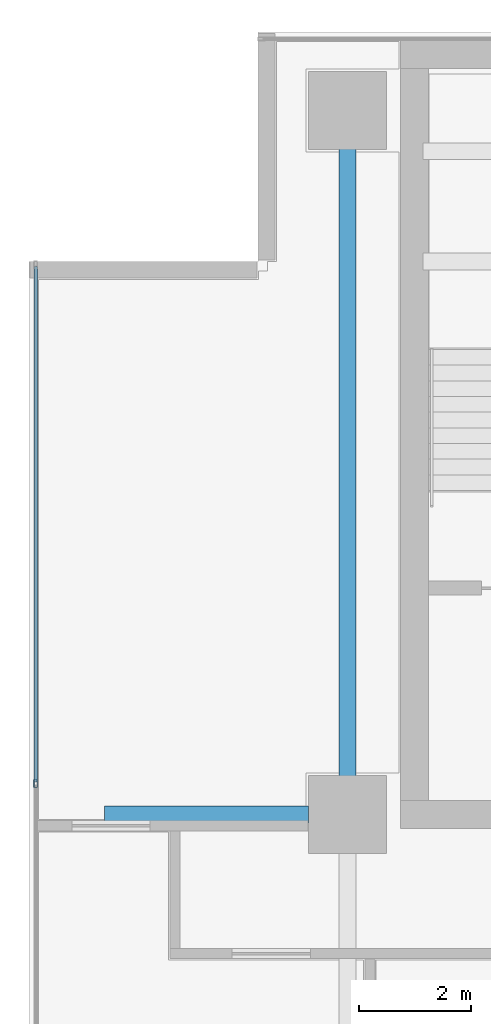
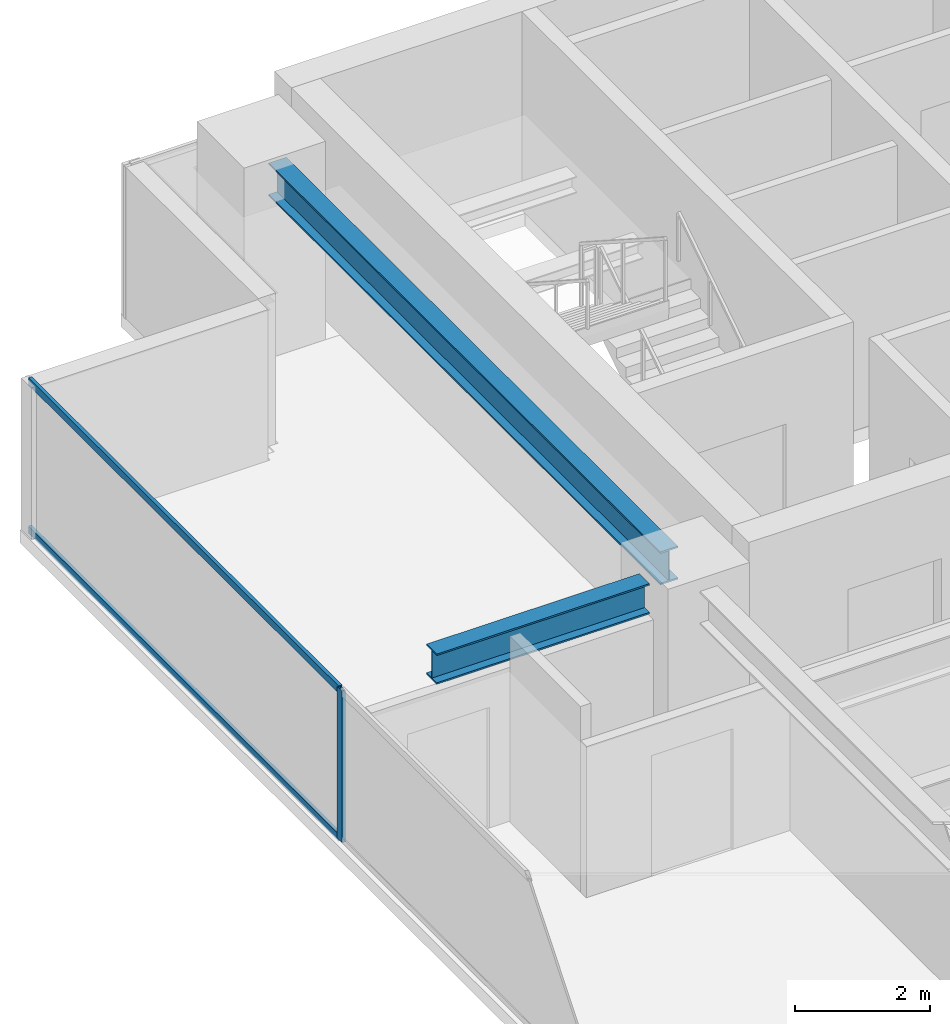
# One storey, part 9 of 25: 3 members, 2 beams, 1 element without a shape of its own.
"""IFC4 building model written with IfcOpenShell, lengths in metres."""

import ifcopenshell
import ifcopenshell.guid

model = None  # the IFC model being written
_history = None  # IfcOwnerHistory: only IFC2X3 demands one
_inside = {}  # id of a spatial element -> (the spatial element, [elements in it])
_under = {}  # id of a project, library or spatial element -> (it, [spatial elements below it])
_declared = {}  # id of a project -> (the project, [libraries it declares])
_typed = {}  # id of a type object -> (the type object, [elements of that type])
_made_of = {}  # id of a material, layer set ... -> (it, [elements and type objects made of it])


def new_model(schema):
    """Start an empty IFC model of exactly this schema.

    Asked for "IFC4X3", IfcOpenShell would pick the latest addendum, in which some entities
    have other attributes; the version numbers below select the first issue.
    IFC2X3 requires an IfcOwnerHistory on every rooted entity: one is made here for all.
    """
    global model, _history
    if schema == "IFC4X3":
        model = ifcopenshell.file(schema_version=(4, 3, 0, 0))
    else:
        model = ifcopenshell.file(schema=schema)
    _inside.clear()
    _under.clear()
    _declared.clear()
    _typed.clear()
    _made_of.clear()
    _history = None
    if model.schema == "IFC2X3":
        org = make("IfcOrganization", Name="unknown")
        user = make(
            "IfcPersonAndOrganization",
            ThePerson=make("IfcPerson", FamilyName="unknown"),
            TheOrganization=org,
        )
        app = make(
            "IfcApplication",
            ApplicationDeveloper=org,
            Version="unknown",
            ApplicationFullName="unknown",
            ApplicationIdentifier="unknown",
        )
        _history = make(
            "IfcOwnerHistory",
            OwningUser=user,
            OwningApplication=app,
            ChangeAction="ADDED",
            CreationDate=0,
        )
    return model


def make(cls, **values):
    """One entity of the class cls with the attributes given. An attribute that is None is left unset."""
    return model.create_entity(
        cls, **{name: value for name, value in values.items() if value is not None}
    )


def rooted(cls, **values):
    """An entity with a GlobalId (a new one), such as an element, a storey or a relation."""
    return make(cls, GlobalId=ifcopenshell.guid.new(), OwnerHistory=_history, **values)


def si_unit(unit_type, name, prefix=None):
    """IfcSIUnit, for example si_unit("LENGTHUNIT", "METRE", prefix="MILLI")."""
    return make("IfcSIUnit", UnitType=unit_type, Prefix=prefix, Name=name)


def assignment(units):
    """IfcUnitAssignment: the units of a project."""
    return None if units is None else make("IfcUnitAssignment", Units=units)


def point(xyz):
    """IfcCartesianPoint."""
    return None if xyz is None else make("IfcCartesianPoint", Coordinates=xyz)


def direction(xyz):
    """IfcDirection."""
    return None if xyz is None else make("IfcDirection", DirectionRatios=xyz)


def frame(location, z_axis=None, x_axis=None):
    """IfcAxis2Placement3D, a coordinate frame: its origin and axes. An axis left out is left unset."""
    return make(
        "IfcAxis2Placement3D",
        Location=point(location),
        Axis=direction(z_axis),
        RefDirection=direction(x_axis),
    )


def frame_2d(location, x_axis=None):
    """IfcAxis2Placement2D, a coordinate frame in the plane: its origin and x axis."""
    return make(
        "IfcAxis2Placement2D", Location=point(location), RefDirection=direction(x_axis)
    )


def origin():
    """The frame at (0, 0, 0) with its axes left unset."""
    return frame((0.0, 0.0, 0.0))


def origin_2d():
    """The frame at (0, 0) in the plane with its x axis left unset."""
    return frame_2d((0.0, 0.0))


def place(relative_to, where):
    """IfcLocalPlacement: puts the frame where relative to a parent placement (None: the world)."""
    return make(
        "IfcLocalPlacement", PlacementRelTo=relative_to, RelativePlacement=where
    )


def context(
    kind, dimensions, precision=None, world=None, true_north=None, identifier=None
):
    """IfcGeometricRepresentationContext, for example the 3D "Model" context."""
    return make(
        "IfcGeometricRepresentationContext",
        ContextIdentifier=identifier,
        ContextType=kind,
        CoordinateSpaceDimension=dimensions,
        Precision=precision,
        WorldCoordinateSystem=world,
        TrueNorth=true_north,
    )


def subcontext(parent, identifier, kind, view, scale=None):
    """IfcGeometricRepresentationSubContext, for example "Body" below "Model"."""
    return make(
        "IfcGeometricRepresentationSubContext",
        ContextIdentifier=identifier,
        ContextType=kind,
        ParentContext=parent,
        TargetScale=scale,
        TargetView=view,
    )


def project(units=None, contexts=None):
    """IfcProject with its units and contexts."""
    return rooted(
        "IfcProject",
        Name="project",
        RepresentationContexts=contexts,
        UnitsInContext=assignment(units),
    )


def spatial(cls, under=None, at=None, **own):
    """A site, building, storey or space (cls), placed at a placement, below another one or the project."""
    s = rooted(cls, ObjectPlacement=at, **own)
    if under is not None:
        _under.setdefault(under.id(), (under, []))[1].append(s)
    return s


def profile(cls, at=None, kind="AREA", **sizes):
    """A parametric profile (cls). Its sizes go by their IFC names, for example OverallWidth=200.0."""
    return make(cls, ProfileType=kind, Position=at, **sizes)


def hollow_rectangle(**sizes):
    """IfcRectangleHollowProfileDef."""
    return profile("IfcRectangleHollowProfileDef", **sizes)


def i_section(**sizes):
    """IfcIShapeProfileDef."""
    return profile("IfcIShapeProfileDef", **sizes)


def extrude(swept, where, along, depth):
    """IfcExtrudedAreaSolid: the profile swept, set in the frame where, extruded along a direction by depth."""
    return make(
        "IfcExtrudedAreaSolid",
        SweptArea=swept,
        Position=where,
        ExtrudedDirection=direction(along),
        Depth=depth,
    )


def shape(context_of_items, identifier, shape_type, items):
    """IfcShapeRepresentation: the items that make up one representation, for example the "Body"."""
    return make(
        "IfcShapeRepresentation",
        ContextOfItems=context_of_items,
        RepresentationIdentifier=identifier,
        RepresentationType=shape_type,
        Items=items,
    )


def source(mapping_origin, context_of_items, identifier, shape_type, items):
    """IfcRepresentationMap: a shape defined once, which mapped items show again and again."""
    return make(
        "IfcRepresentationMap",
        MappingOrigin=mapping_origin,
        MappedRepresentation=shape(context_of_items, identifier, shape_type, items),
    )


def transform(
    local_origin,
    x_axis=None,
    y_axis=None,
    z_axis=None,
    scale=None,
    scale2=None,
    scale3=None,
    uniform=True,
):
    """IfcCartesianTransformationOperator3D, or its non-uniform kind. x_axis, y_axis, z_axis: its Axis1, 2, 3."""
    if uniform:
        return make(
            "IfcCartesianTransformationOperator3D",
            Axis1=direction(x_axis),
            Axis2=direction(y_axis),
            LocalOrigin=point(local_origin),
            Scale=scale,
            Axis3=direction(z_axis),
        )
    return make(
        "IfcCartesianTransformationOperator3DnonUniform",
        Axis1=direction(x_axis),
        Axis2=direction(y_axis),
        LocalOrigin=point(local_origin),
        Scale=scale,
        Axis3=direction(z_axis),
        Scale2=scale2,
        Scale3=scale3,
    )


def mapped(mapping_source, mapping_target):
    """IfcMappedItem: shows the shape of a source again, moved by a transform."""
    return make(
        "IfcMappedItem", MappingSource=mapping_source, MappingTarget=mapping_target
    )


def material(Name=None, Category=None):
    """IfcMaterial."""
    return make("IfcMaterial", Name=Name, Category=Category)


def layer(
    of_material, thickness, ventilated=None, Name=None, Category=None, Priority=None
):
    """IfcMaterialLayer: one layer of a wall or slab, of a material (None: an air gap)."""
    return make(
        "IfcMaterialLayer",
        Material=of_material,
        LayerThickness=thickness,
        IsVentilated=ventilated,
        Name=Name,
        Category=Category,
        Priority=Priority,
    )


def layer_set(layers, Name=None):
    """IfcMaterialLayerSet."""
    return make("IfcMaterialLayerSet", MaterialLayers=layers, LayerSetName=Name)


def material_profile(
    of_material, cross_section, Name=None, Category=None, Priority=None
):
    """IfcMaterialProfile: a cross section and its material."""
    return make(
        "IfcMaterialProfile",
        Name=Name,
        Material=of_material,
        Profile=cross_section,
        Priority=Priority,
        Category=Category,
    )


def profile_set(profiles, Name=None, composite=None):
    """IfcMaterialProfileSet."""
    return make(
        "IfcMaterialProfileSet",
        Name=Name,
        MaterialProfiles=profiles,
        CompositeProfile=composite,
    )


def made_of(thing, what):
    """Note that an element or type object is made of a material, layer set ...; save() writes the relation."""
    if what is not None:
        _made_of.setdefault(what.id(), (what, []))[1].append(thing)
    return thing


def type_object(cls, material=None, **own):
    """A type object (cls), such as IfcWallType, which elements share."""
    return made_of(rooted(cls, **own), material)


def element(
    cls,
    number,
    at=None,
    inside=None,
    cuts=None,
    type_object=None,
    material=None,
    context=None,
    identifier="Body",
    shape_type=None,
    held_by="IfcProductDefinitionShape",
    body=None,
    shapes=None,
    **own,
):
    """One element of the class cls, such as IfcWall. Its Tag is "e" and its number.

    at: its placement. inside: the storey or other place that contains it. cuts: it is an
    opening in that element (IfcRelVoidsElement). A single representation is given by context,
    identifier, shape_type and body (its items); several are given by shapes. held_by: the class
    of the entity that holds the representations. save() writes the other relations.
    """
    e = rooted(cls, Tag="e%d" % number, ObjectPlacement=at, **own)
    if body is not None:
        shapes = [shape(context, identifier, shape_type, body)]
    if shapes is not None:
        e.Representation = make(held_by, Representations=shapes)
    if inside is not None:
        _inside.setdefault(inside.id(), (inside, []))[1].append(e)
    if cuts is not None:
        rooted(
            "IfcRelVoidsElement", RelatingBuildingElement=cuts, RelatedOpeningElement=e
        )
    if type_object is not None:
        _typed.setdefault(type_object.id(), (type_object, []))[1].append(e)
    return made_of(e, material)


def aggregate(whole, parts):
    """IfcRelAggregates: a whole, such as a stair, and the parts it consists of."""
    return rooted("IfcRelAggregates", RelatingObject=whole, RelatedObjects=parts)


def save(model, path):
    """Write the relations noted so far, then the file.

    IfcRelAggregates (storeys below a building ...), IfcRelContainedInSpatialStructure (elements
    in a storey), IfcRelDefinesByType, IfcRelAssociatesMaterial and IfcRelDeclares: one each for
    every whole, place, type object, material and project.
    """
    for whole, parts in _under.values():
        aggregate(whole, parts)
    for where, things in _inside.values():
        rooted(
            "IfcRelContainedInSpatialStructure",
            RelatedElements=things,
            RelatingStructure=where,
        )
    for kind, things in _typed.values():
        rooted("IfcRelDefinesByType", RelatedObjects=things, RelatingType=kind)
    for what, things in _made_of.values():
        rooted("IfcRelAssociatesMaterial", RelatedObjects=things, RelatingMaterial=what)
    for by, libraries in _declared.values():
        rooted("IfcRelDeclares", RelatingContext=by, RelatedDefinitions=libraries)
    model.write(path)


model = new_model("IFC4")

# Units and contexts
model_context = context("Model", 3, precision=1e-05, world=origin(), true_north=direction((0.0, 1.0)))
body_context = subcontext(model_context, "Body", "Model", "MODEL_VIEW")
ifc_project = project(units=[si_unit("LENGTHUNIT", "METRE"), si_unit("AREAUNIT", "SQUARE_METRE"), si_unit("VOLUMEUNIT", "CUBIC_METRE"), si_unit("PLANEANGLEUNIT", "RADIAN"), si_unit("MASSUNIT", "GRAM", prefix="KILO")], contexts=[model_context])

# Site, building, storey
site_placement = place(None, origin())
site = spatial("IfcSite", under=ifc_project, at=site_placement, CompositionType="ELEMENT")
building_placement = place(site_placement, origin())
building = spatial("IfcBuilding", under=site, at=building_placement, Name="Sumidabori Civic Tower", CompositionType="ELEMENT")
storey_placement = place(building_placement, frame((0.0, 0.0, 268.39990234375)))
storey = spatial("IfcBuildingStorey", under=building, at=storey_placement, Name="L70", CompositionType="ELEMENT", Elevation=268.39990234375)

# Beams
ifc_material_1 = material(Name="Steel SN490", Category="steel")
ifc_material_profile_1 = material_profile(ifc_material_1, i_section(OverallWidth=0.300048828125, OverallDepth=0.60009765625, WebThickness=0.015380859375, FlangeThickness=0.030029296875, at=origin_2d()), Name="HE 600 B")
ifc_profile_set_1 = profile_set([ifc_material_profile_1], Name="Steel SN490")
beam_type_1 = type_object("IfcBeamType", Name="BM-GIRD-600", PredefinedType="BEAM", material=ifc_profile_set_1)
shared_shape_1 = source(origin(), body_context, "Body", "SweptSolid", [
    extrude(i_section(OverallWidth=0.300048828125, OverallDepth=0.60009765625, WebThickness=0.015380859375, FlangeThickness=0.030029296875, at=origin_2d()), origin(), (0.0, 0.0, 1.0), 11.64013671875),
])
beam_1_placement = place(storey_placement, frame((-16.800048828125, 10.679931640625, 3.070068359375), z_axis=(0.0, 1.0, 0.0), x_axis=(-1.0, 0.0, 0.0)))
element("IfcBeam", 1, at=beam_1_placement, inside=storey, type_object=beam_type_1, Name="Primary Girder L70 GY-11", PredefinedType="BEAM", context=body_context, shape_type="MappedRepresentation", body=[
    mapped(shared_shape_1, transform((0.0, 0.0, 0.0), x_axis=(1.0, 0.0, 0.0), y_axis=(0.0, 1.0, 0.0), z_axis=(0.0, 0.0, 1.0), scale=1.0)),
])
ifc_material_profile_2 = material_profile(ifc_material_1, i_section(OverallWidth=0.300048828125, OverallDepth=0.550048828125, WebThickness=0.014892578125, FlangeThickness=0.029052734375, at=origin_2d()), Name="HE 550 B")
ifc_profile_set_2 = profile_set([ifc_material_profile_2], Name="Steel SN490")
beam_type_2 = type_object("IfcBeamType", Name="BM-Z4-EDGE", PredefinedType="SPANDREL", material=ifc_profile_set_2)
shared_shape_2 = source(origin(), body_context, "Body", "SweptSolid", [
    extrude(i_section(OverallWidth=0.300048828125, OverallDepth=0.550048828125, WebThickness=0.014892578125, FlangeThickness=0.029052734375, at=origin_2d()), origin(), (0.0, 0.0, 1.0), 3.64990234375),
])
beam_2_placement = place(storey_placement, frame((-21.14990234375, 10.199951171875, 3.09521484375), z_axis=(1.0, 0.0, 0.0), x_axis=(0.0, 1.0, 0.0)))
element("IfcBeam", 2, at=beam_2_placement, inside=storey, type_object=beam_type_2, Name="Perimeter Overhang Beam L70 W-21", PredefinedType="SPANDREL", context=body_context, shape_type="MappedRepresentation", body=[
    mapped(shared_shape_2, transform((0.0, 0.0, 0.0), x_axis=(1.0, 0.0, 0.0), y_axis=(0.0, 1.0, 0.0), z_axis=(0.0, 0.0, 1.0), scale=1.0)),
])

# Curtain wall, members
ifc_material_2 = material(Name="Anodised Bronze Aluminium AW-6063-T6", Category="aluminium")
ifc_layer = layer(ifc_material_2, 0.179931640625, Name="Anodised Bronze Aluminium AW-6063-T6")
ifc_layer_set = layer_set([ifc_layer], Name="Anodised Bronze Aluminium AW-6063-T6")
curtain_wall_type = type_object("IfcCurtainWallType", Name="CW-SYS-5", PredefinedType="NOTDEFINED", material=ifc_layer_set)
curtain_wall_placement = place(storey_placement, origin())
curtain_wall = element("IfcCurtainWall", 3, at=curtain_wall_placement, inside=storey, type_object=curtain_wall_type, Name="Curtain Wall CW:L70:R10", PredefinedType="NOTDEFINED")
ifc_material_profile_3 = material_profile(ifc_material_2, hollow_rectangle(XDim=0.06005859375, YDim=0.139892578125, WallThickness=0.0048828125, at=origin_2d()), Name="ALU MULLION 140x60")
ifc_profile_set_3 = profile_set([ifc_material_profile_3], Name="Anodised Bronze Aluminium AW-6063-T6")
member_type_1 = type_object("IfcMemberType", Name="CW-MUL-140", PredefinedType="MULLION", material=ifc_profile_set_3)
shared_shape_3 = source(origin(), body_context, "Body", "SweptSolid", [
    extrude(hollow_rectangle(XDim=0.06005859375, YDim=0.139892578125, WallThickness=0.0048828125, at=origin_2d()), origin(), (0.0, 0.0, 1.0), 2.75),
])
member_1_placement = place(storey_placement, frame((-22.3798828125, 10.756591796875, 0.0), z_axis=(0.0, 0.0, 1.0), x_axis=(1.0, 0.0, 0.0)))
member_1 = element("IfcMember", 4, at=member_1_placement, type_object=member_type_1, Name="CW-5 mullion 2", PredefinedType="MULLION", context=body_context, shape_type="MappedRepresentation", body=[
    mapped(shared_shape_3, transform((0.0, 0.0, 0.0), x_axis=(1.0, 0.0, 0.0), y_axis=(0.0, 1.0, 0.0), z_axis=(0.0, 0.0, 1.0), scale=1.0)),
])
ifc_material_profile_4 = material_profile(ifc_material_2, hollow_rectangle(XDim=0.06005859375, YDim=0.1298828125, WallThickness=0.0048828125, at=origin_2d()), Name="ALU TRANSOM 130x60")
ifc_profile_set_4 = profile_set([ifc_material_profile_4], Name="Anodised Bronze Aluminium AW-6063-T6")
member_type_2 = type_object("IfcMemberType", Name="CW-TRN-130", PredefinedType="USERDEFINED", material=ifc_profile_set_4)
shared_shape_4 = source(origin(), body_context, "Body", "SweptSolid", [
    extrude(hollow_rectangle(XDim=0.06005859375, YDim=0.1298828125, WallThickness=0.0048828125, at=origin_2d()), origin(), (0.0, 0.0, 1.0), 9.223388671875),
])
member_2_placement = place(storey_placement, frame((-22.3798828125, 20.010009765625, 0.030029296875), z_axis=(0.0, -1.0, 0.0), x_axis=(1.0, 0.0, 0.0)))
member_2 = element("IfcMember", 5, at=member_2_placement, type_object=member_type_2, Name="CW-5 transom 1.1", ObjectType="TRANSOM", PredefinedType="USERDEFINED", context=body_context, shape_type="MappedRepresentation", body=[
    mapped(shared_shape_4, transform((0.0, 0.0, 0.0), x_axis=(1.0, 0.0, 0.0), y_axis=(0.0, 1.0, 0.0), z_axis=(0.0, 0.0, 1.0), scale=1.0)),
])
member_3_placement = place(storey_placement, frame((-22.3798828125, 20.010009765625, 2.72021484375), z_axis=(0.0, -1.0, 0.0), x_axis=(1.0, 0.0, 0.0)))
member_3 = element("IfcMember", 6, at=member_3_placement, type_object=member_type_2, Name="CW-5 transom 1.2", ObjectType="TRANSOM", PredefinedType="USERDEFINED", context=body_context, shape_type="MappedRepresentation", body=[
    mapped(shared_shape_4, transform((0.0, 0.0, 0.0), x_axis=(1.0, 0.0, 0.0), y_axis=(0.0, 1.0, 0.0), z_axis=(0.0, 0.0, 1.0), scale=1.0)),
])
aggregate(curtain_wall, [member_1, member_2, member_3])

save(model, "model.ifc")
